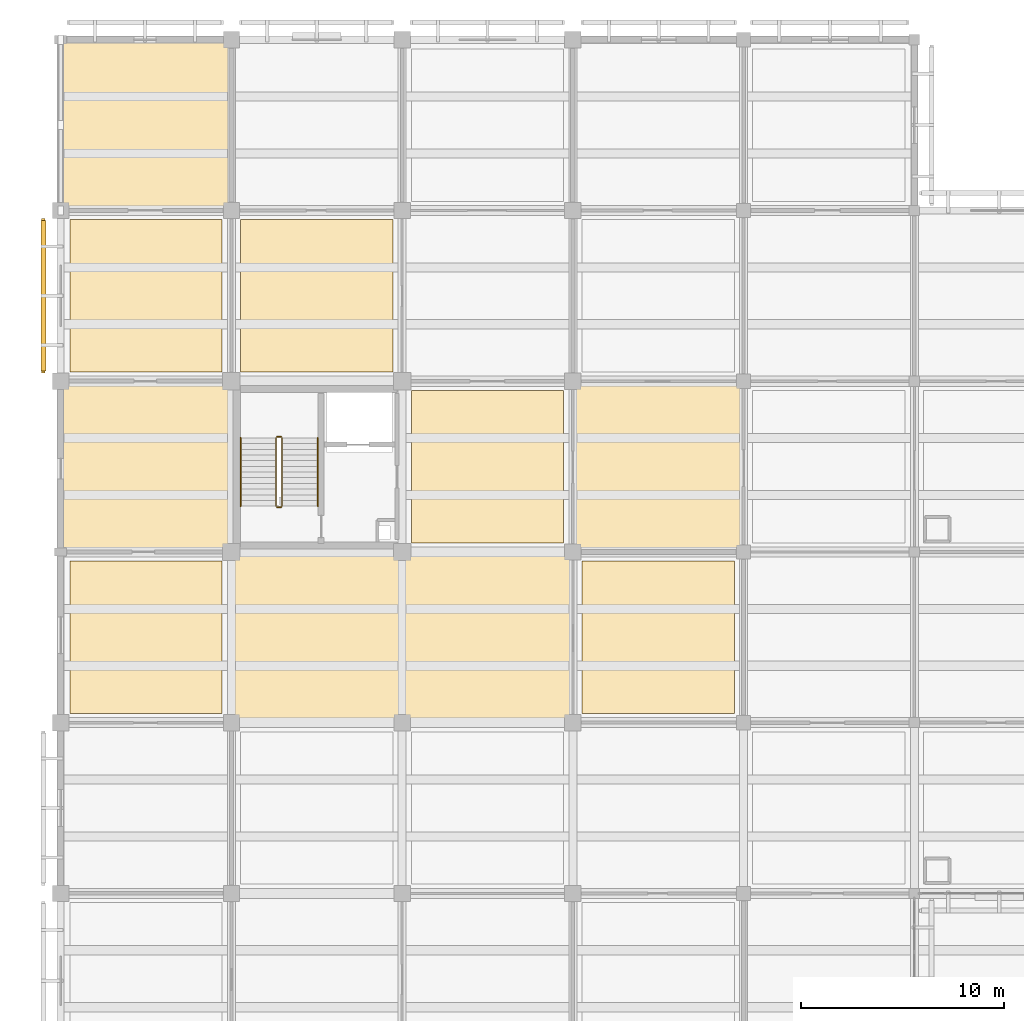
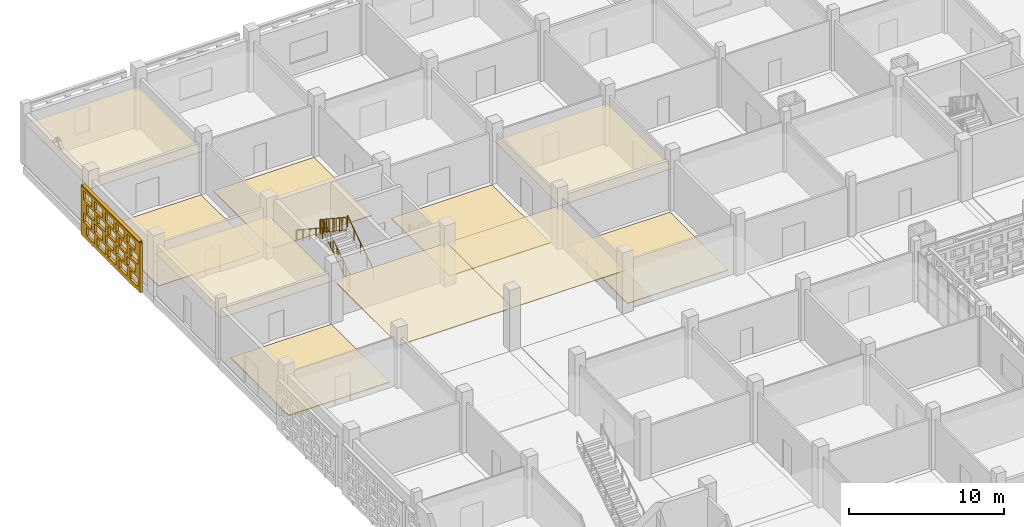
# One storey, part 99 of 129: 11 coverings, 6 railings, 1 shading device, 20 openings.
"""IFC4 building model written with IfcOpenShell, lengths in metres."""

from ifc_helpers import new_model, si_unit, direction, frame, frame_2d, origin, origin_2d, place, context, subcontext, project, spatial, rectangle, circle, extrude, material, layer, layer_set, type_object, element, save


model = new_model("IFC4")

# Units and contexts
model_context = context("Model", 3, precision=1e-05, world=origin(), true_north=direction((0.0, 1.0)))
body_context = subcontext(model_context, "Body", "Model", "MODEL_VIEW")
ifc_project = project(units=[si_unit("LENGTHUNIT", "METRE"), si_unit("AREAUNIT", "SQUARE_METRE"), si_unit("VOLUMEUNIT", "CUBIC_METRE"), si_unit("PLANEANGLEUNIT", "RADIAN"), si_unit("MASSUNIT", "GRAM", prefix="KILO")], contexts=[model_context])

# Site, building, storey
site_placement = place(None, origin())
site = spatial("IfcSite", under=ifc_project, at=site_placement, CompositionType="ELEMENT")
building_placement = place(site_placement, origin())
building = spatial("IfcBuilding", under=site, at=building_placement, Name="Varnapada Polytechnic", CompositionType="ELEMENT")
storey_placement = place(building_placement, origin())
storey = spatial("IfcBuildingStorey", under=building, at=storey_placement, Name="L00", CompositionType="ELEMENT", Elevation=0.0)

# Coverings
ifc_material_1 = material(Name="Anti-Static Raised Laboratory Flooring")
ifc_layer_1 = layer(ifc_material_1, 0.06005859375)
ifc_layer_set_1 = layer_set([ifc_layer_1], Name="Anti-Static Raised Laboratory Flooring")
covering_type_1 = type_object("IfcCoveringType", Name="Floor Finish FLR-02", PredefinedType="FLOORING", material=ifc_layer_set_1)
covering_1_placement = place(storey_placement, frame((4.199951171875, 96.60009765625, 0.0), z_axis=(0.0, 0.0, 1.0), x_axis=(1.0, 0.0, 0.0)))
element("IfcCovering", 1, at=covering_1_placement, inside=storey, type_object=covering_type_1, Name="L00 floor finish panel (1,12)", PredefinedType="FLOORING", context=body_context, shape_type="SweptSolid", body=[
    extrude(rectangle(XDim=7.5, YDim=7.5, at=origin_2d()), origin(), (0.0, 0.0, 1.0), 0.06005859375),
])
ifc_material_2 = material(Name="End-Grain Timber Studio Block Flooring", Category="wood")
ifc_layer_2 = layer(ifc_material_2, 0.054931640625)
ifc_layer_set_2 = layer_set([ifc_layer_2], Name="End-Grain Timber Studio Block Flooring")
covering_type_2 = type_object("IfcCoveringType", Name="Floor Finish FLR-04", PredefinedType="FLOORING", material=ifc_layer_set_2)
for number, where, z_axis, x_axis, name in (
    (2, (4.199951171875, 113.39990234375, 0.0), (0.0, 0.0, 1.0), (1.0, 0.0, 0.0), "L00 floor finish panel (1,14)"),
    (3, (12.60009765625, 113.39990234375, 0.0), (0.0, 0.0, 1.0), (1.0, 0.0, 0.0), "L00 floor finish panel (2,14)"),
    (4, (21.0, 105.0, 0.0), (0.0, 0.0, 1.0), (1.0, 0.0, 0.0), "L00 floor finish panel (3,13)"),
    (5, (29.39990234375, 96.60009765625, 0.0), (0.0, 0.0, 1.0), (1.0, 0.0, 0.0), "L00 floor finish panel (4,12)"),
):
    element("IfcCovering", number, at=place(storey_placement, frame(where, z_axis=z_axis, x_axis=x_axis)), inside=storey, type_object=covering_type_2, Name=name, PredefinedType="FLOORING", context=body_context, shape_type="SweptSolid", body=[
        extrude(rectangle(XDim=7.5, YDim=7.5, at=origin_2d()), origin(), (0.0, 0.0, 1.0), 0.054931640625),
    ])

# Railings
ifc_material_3 = material(Name="Brushed Stainless Steel 316", Category="steel")
railing_type_1 = type_object("IfcRailingType", Name="Stair Wall Handrail SHR-01", PredefinedType="HANDRAIL", material=ifc_material_3)
railing_1_placement = place(storey_placement, frame((12.64990234375, 103.050048828125, 0.1845703125)))
element("IfcRailing", 6, at=railing_1_placement, inside=storey, type_object=railing_type_1, Name="L00 ST-1 stair handrail 1", PredefinedType="HANDRAIL", context=body_context, shape_type="SweptSolid", body=[
    extrude(circle(Radius=0.02392578125, at=origin_2d()), frame((0.0, 0.0, 0.8759765625), z_axis=(0.0, 0.834858096282, 0.550465220583), x_axis=(-1.0, 0.0, 0.0)), (0.0, 0.0, 1.0), 4.0244140625),
    extrude(circle(Radius=0.02099609375, at=origin_2d()), origin(), (0.0, 0.0, 1.0), 0.851806640625),
    extrude(circle(Radius=0.02099609375, at=origin_2d()), frame((0.0, 0.83984375, 0.5537109375)), (0.0, 0.0, 1.0), 0.851806640625),
    extrude(circle(Radius=0.02099609375, at=origin_2d()), frame((0.0, 1.679931640625, 1.107666015625)), (0.0, 0.0, 1.0), 0.851806640625),
    extrude(circle(Radius=0.02099609375, at=origin_2d()), frame((0.0, 2.52001953125, 1.66162109375)), (0.0, 0.0, 1.0), 0.851806640625),
    extrude(circle(Radius=0.02099609375, at=origin_2d()), frame((0.0, 3.35986328125, 2.21533203125)), (0.0, 0.0, 1.0), 0.851806640625),
])
railing_2_placement = place(storey_placement, frame((8.85009765625, 106.409912109375, 2.584716796875)))
element("IfcRailing", 7, at=railing_2_placement, inside=storey, type_object=railing_type_1, Name="L00 ST-1 stair handrail 2", PredefinedType="HANDRAIL", context=body_context, shape_type="SweptSolid", body=[
    extrude(circle(Radius=0.02392578125, at=origin_2d()), frame((0.0, 0.0, 0.8759765625), z_axis=(0.0, -0.834858096282, 0.550465220583), x_axis=(1.0, 0.0, 0.0)), (0.0, 0.0, 1.0), 4.0244140625),
    extrude(circle(Radius=0.02099609375, at=origin_2d()), origin(), (0.0, 0.0, 1.0), 0.851806640625),
    extrude(circle(Radius=0.02099609375, at=origin_2d()), frame((0.0, -0.83984375, 0.5537109375)), (0.0, 0.0, 1.0), 0.851806640625),
    extrude(circle(Radius=0.02099609375, at=origin_2d()), frame((0.0, -1.679931640625, 1.107666015625)), (0.0, 0.0, 1.0), 0.851806640625),
    extrude(circle(Radius=0.02099609375, at=origin_2d()), frame((0.0, -2.52001953125, 1.66162109375)), (0.0, 0.0, 1.0), 0.851806640625),
    extrude(circle(Radius=0.02099609375, at=origin_2d()), frame((0.0, -3.35986328125, 2.21533203125)), (0.0, 0.0, 1.0), 0.851806640625),
])
railing_type_2 = type_object("IfcRailingType", Name="Stair Well Guard Rail SGR-01", PredefinedType="BALUSTRADE", material=ifc_material_3)
railing_3_placement = place(storey_placement, frame((10.89990234375, 103.050048828125, 0.1845703125)))
element("IfcRailing", 8, at=railing_3_placement, inside=storey, type_object=railing_type_2, Name="L00 ST-1 stair guard 1", PredefinedType="BALUSTRADE", context=body_context, shape_type="SweptSolid", body=[
    extrude(circle(Radius=0.02392578125, at=origin_2d()), frame((0.0, 0.0, 1.09619140625), z_axis=(0.0, 0.834858096282, 0.550465220583), x_axis=(-1.0, 0.0, 0.0)), (0.0, 0.0, 1.0), 4.0244140625),
    extrude(circle(Radius=0.02392578125, at=origin_2d()), frame((0.0, 0.0, 0.10009765625), z_axis=(0.0, 0.834858096282, 0.550465220583), x_axis=(-1.0, 0.0, 0.0)), (0.0, 0.0, 1.0), 4.0244140625),
    extrude(circle(Radius=0.02099609375, at=origin_2d()), origin(), (0.0, 0.0, 1.0), 1.072021484375),
    extrude(circle(Radius=0.02099609375, at=origin_2d()), frame((0.0, 0.83984375, 0.5537109375)), (0.0, 0.0, 1.0), 1.072021484375),
    extrude(circle(Radius=0.02099609375, at=origin_2d()), frame((0.0, 1.679931640625, 1.107666015625)), (0.0, 0.0, 1.0), 1.072021484375),
    extrude(circle(Radius=0.02099609375, at=origin_2d()), frame((0.0, 2.52001953125, 1.66162109375)), (0.0, 0.0, 1.0), 1.072021484375),
    extrude(circle(Radius=0.02099609375, at=origin_2d()), frame((0.0, 3.35986328125, 2.21533203125)), (0.0, 0.0, 1.0), 1.072021484375),
    extrude(circle(Radius=0.010009765625, at=origin_2d()), frame((0.0, 0.2099609375, 0.238525390625)), (0.0, 0.0, 1.0), 0.971923828125),
    extrude(circle(Radius=0.010009765625, at=origin_2d()), frame((0.0, 0.419921875, 0.376953125)), (0.0, 0.0, 1.0), 0.971923828125),
    extrude(circle(Radius=0.010009765625, at=origin_2d()), frame((0.0, 0.6298828125, 0.515380859375)), (0.0, 0.0, 1.0), 0.971923828125),
    extrude(circle(Radius=0.010009765625, at=origin_2d()), frame((0.0, 0.83984375, 0.65380859375)), (0.0, 0.0, 1.0), 0.971923828125),
    extrude(circle(Radius=0.010009765625, at=origin_2d()), frame((0.0, 1.050048828125, 0.79248046875)), (0.0, 0.0, 1.0), 0.971923828125),
    extrude(circle(Radius=0.010009765625, at=origin_2d()), frame((0.0, 1.260009765625, 0.930908203125)), (0.0, 0.0, 1.0), 0.971923828125),
    extrude(circle(Radius=0.010009765625, at=origin_2d()), frame((0.0, 1.469970703125, 1.0693359375)), (0.0, 0.0, 1.0), 0.971923828125),
    extrude(circle(Radius=0.010009765625, at=origin_2d()), frame((0.0, 1.679931640625, 1.207763671875)), (0.0, 0.0, 1.0), 0.971923828125),
    extrude(circle(Radius=0.010009765625, at=origin_2d()), frame((0.0, 1.889892578125, 1.34619140625)), (0.0, 0.0, 1.0), 0.971923828125),
    extrude(circle(Radius=0.010009765625, at=origin_2d()), frame((0.0, 2.099853515625, 1.484619140625)), (0.0, 0.0, 1.0), 0.971923828125),
    extrude(circle(Radius=0.010009765625, at=origin_2d()), frame((0.0, 2.309814453125, 1.623046875)), (0.0, 0.0, 1.0), 0.971923828125),
    extrude(circle(Radius=0.010009765625, at=origin_2d()), frame((0.0, 2.52001953125, 1.76171875)), (0.0, 0.0, 1.0), 0.971923828125),
    extrude(circle(Radius=0.010009765625, at=origin_2d()), frame((0.0, 2.72998046875, 1.900146484375)), (0.0, 0.0, 1.0), 0.971923828125),
    extrude(circle(Radius=0.010009765625, at=origin_2d()), frame((0.0, 2.93994140625, 2.03857421875)), (0.0, 0.0, 1.0), 0.971923828125),
    extrude(circle(Radius=0.010009765625, at=origin_2d()), frame((0.0, 3.14990234375, 2.177001953125)), (0.0, 0.0, 1.0), 0.971923828125),
])
railing_4_placement = place(storey_placement, frame((10.85009765625, 106.4599609375, 2.39990234375)))
element("IfcRailing", 9, at=railing_4_placement, inside=storey, type_object=railing_type_2, Name="L00 ST-1 stair guard 2", PredefinedType="BALUSTRADE", context=body_context, shape_type="SweptSolid", body=[
    extrude(circle(Radius=0.02392578125, at=origin_2d()), frame((0.0, 0.0, 1.09619140625), z_axis=(-1.0, 0.0, 0.0), x_axis=(0.0, -1.0, 0.0)), (0.0, 0.0, 1.0), 0.2001953125),
    extrude(circle(Radius=0.02392578125, at=origin_2d()), frame((0.0, 0.0, 0.10009765625), z_axis=(-1.0, 0.0, 0.0), x_axis=(0.0, -1.0, 0.0)), (0.0, 0.0, 1.0), 0.2001953125),
    extrude(circle(Radius=0.02099609375, at=origin_2d()), origin(), (0.0, 0.0, 1.0), 1.072021484375),
    extrude(circle(Radius=0.02099609375, at=origin_2d()), frame((-0.2001953125, 0.0, 0.0)), (0.0, 0.0, 1.0), 1.072021484375),
])
railing_5_placement = place(storey_placement, frame((10.60009765625, 106.409912109375, 2.584716796875)))
element("IfcRailing", 10, at=railing_5_placement, inside=storey, type_object=railing_type_2, Name="L00 ST-1 stair guard 3", PredefinedType="BALUSTRADE", context=body_context, shape_type="SweptSolid", body=[
    extrude(circle(Radius=0.02392578125, at=origin_2d()), frame((0.0, 0.0, 1.09619140625), z_axis=(0.0, -0.834858096282, 0.550465220583), x_axis=(1.0, 0.0, 0.0)), (0.0, 0.0, 1.0), 4.0244140625),
    extrude(circle(Radius=0.02392578125, at=origin_2d()), frame((0.0, 0.0, 0.10009765625), z_axis=(0.0, -0.834858096282, 0.550465220583), x_axis=(1.0, 0.0, 0.0)), (0.0, 0.0, 1.0), 4.0244140625),
    extrude(circle(Radius=0.02099609375, at=origin_2d()), origin(), (0.0, 0.0, 1.0), 1.072021484375),
    extrude(circle(Radius=0.02099609375, at=origin_2d()), frame((0.0, -0.83984375, 0.5537109375)), (0.0, 0.0, 1.0), 1.072021484375),
    extrude(circle(Radius=0.02099609375, at=origin_2d()), frame((0.0, -1.679931640625, 1.107666015625)), (0.0, 0.0, 1.0), 1.072021484375),
    extrude(circle(Radius=0.02099609375, at=origin_2d()), frame((0.0, -2.52001953125, 1.66162109375)), (0.0, 0.0, 1.0), 1.072021484375),
    extrude(circle(Radius=0.02099609375, at=origin_2d()), frame((0.0, -3.35986328125, 2.21533203125)), (0.0, 0.0, 1.0), 1.072021484375),
    extrude(circle(Radius=0.010009765625, at=origin_2d()), frame((0.0, -0.2099609375, 0.238525390625)), (0.0, 0.0, 1.0), 0.971923828125),
    extrude(circle(Radius=0.010009765625, at=origin_2d()), frame((0.0, -0.419921875, 0.376953125)), (0.0, 0.0, 1.0), 0.971923828125),
    extrude(circle(Radius=0.010009765625, at=origin_2d()), frame((0.0, -0.6298828125, 0.515380859375)), (0.0, 0.0, 1.0), 0.971923828125),
    extrude(circle(Radius=0.010009765625, at=origin_2d()), frame((0.0, -0.83984375, 0.65380859375)), (0.0, 0.0, 1.0), 0.971923828125),
    extrude(circle(Radius=0.010009765625, at=origin_2d()), frame((0.0, -1.050048828125, 0.79248046875)), (0.0, 0.0, 1.0), 0.971923828125),
    extrude(circle(Radius=0.010009765625, at=origin_2d()), frame((0.0, -1.260009765625, 0.930908203125)), (0.0, 0.0, 1.0), 0.971923828125),
    extrude(circle(Radius=0.010009765625, at=origin_2d()), frame((0.0, -1.469970703125, 1.0693359375)), (0.0, 0.0, 1.0), 0.971923828125),
    extrude(circle(Radius=0.010009765625, at=origin_2d()), frame((0.0, -1.679931640625, 1.207763671875)), (0.0, 0.0, 1.0), 0.971923828125),
    extrude(circle(Radius=0.010009765625, at=origin_2d()), frame((0.0, -1.889892578125, 1.34619140625)), (0.0, 0.0, 1.0), 0.971923828125),
    extrude(circle(Radius=0.010009765625, at=origin_2d()), frame((0.0, -2.099853515625, 1.484619140625)), (0.0, 0.0, 1.0), 0.971923828125),
    extrude(circle(Radius=0.010009765625, at=origin_2d()), frame((0.0, -2.309814453125, 1.623046875)), (0.0, 0.0, 1.0), 0.971923828125),
    extrude(circle(Radius=0.010009765625, at=origin_2d()), frame((0.0, -2.52001953125, 1.76171875)), (0.0, 0.0, 1.0), 0.971923828125),
    extrude(circle(Radius=0.010009765625, at=origin_2d()), frame((0.0, -2.72998046875, 1.900146484375)), (0.0, 0.0, 1.0), 0.971923828125),
    extrude(circle(Radius=0.010009765625, at=origin_2d()), frame((0.0, -2.93994140625, 2.03857421875)), (0.0, 0.0, 1.0), 0.971923828125),
    extrude(circle(Radius=0.010009765625, at=origin_2d()), frame((0.0, -3.14990234375, 2.177001953125)), (0.0, 0.0, 1.0), 0.971923828125),
])
railing_6_placement = place(storey_placement, frame((10.85009765625, 103.0, 0.0)))
element("IfcRailing", 11, at=railing_6_placement, inside=storey, type_object=railing_type_2, Name="L00 ST-1 stair guard 4", PredefinedType="BALUSTRADE", context=body_context, shape_type="SweptSolid", body=[
    extrude(circle(Radius=0.02392578125, at=origin_2d()), frame((0.0, 0.0, 1.09619140625), z_axis=(-1.0, 0.0, 0.0), x_axis=(0.0, -1.0, 0.0)), (0.0, 0.0, 1.0), 0.2001953125),
    extrude(circle(Radius=0.02392578125, at=origin_2d()), frame((0.0, 0.0, 0.10009765625), z_axis=(-1.0, 0.0, 0.0), x_axis=(0.0, -1.0, 0.0)), (0.0, 0.0, 1.0), 0.2001953125),
    extrude(circle(Radius=0.02099609375, at=origin_2d()), origin(), (0.0, 0.0, 1.0), 1.072021484375),
    extrude(circle(Radius=0.02099609375, at=origin_2d()), frame((-0.2001953125, 0.0, 0.0)), (0.0, 0.0, 1.0), 1.072021484375),
])

# Coverings
ifc_material_4 = material(Name="Perforated Timber Slatted Baffle Ceiling", Category="wood")
ifc_layer_3 = layer(ifc_material_4, 0.050048828125)
ifc_layer_set_3 = layer_set([ifc_layer_3], Name="Perforated Timber Slatted Baffle Ceiling")
covering_type_3 = type_object("IfcCoveringType", Name="Suspended Ceiling CLG-02", PredefinedType="CEILING", material=ifc_layer_set_3)
covering_2_placement = place(storey_placement, frame((4.199951171875, 105.0, 3.02490234375), z_axis=(0.0, 0.0, 1.0), x_axis=(1.0, 0.0, 0.0)))
element("IfcCovering", 12, at=covering_2_placement, inside=storey, type_object=covering_type_3, Name="L00 suspended acoustic ceiling (1,13)", PredefinedType="CEILING", context=body_context, shape_type="SweptSolid", body=[
    extrude(rectangle(XDim=8.419921875, YDim=8.419921875, at=origin_2d()), origin(), (0.0, 0.0, 1.0), 0.050048828125),
])
ifc_material_5 = material(Name="Micro-Perforated Gypsum Acoustic Ceiling")
ifc_layer_4 = layer(ifc_material_5, 0.044921875)
ifc_layer_set_4 = layer_set([ifc_layer_4], Name="Micro-Perforated Gypsum Acoustic Ceiling")
covering_type_4 = type_object("IfcCoveringType", Name="Suspended Ceiling CLG-04", PredefinedType="CEILING", material=ifc_layer_set_4)
covering_3_placement = place(storey_placement, frame((4.199951171875, 121.800048828125, 3.027587890625), z_axis=(0.0, 0.0, 1.0), x_axis=(1.0, 0.0, 0.0)))
element("IfcCovering", 13, at=covering_3_placement, inside=storey, type_object=covering_type_4, Name="L00 suspended acoustic ceiling (1,15)", PredefinedType="CEILING", context=body_context, shape_type="SweptSolid", body=[
    extrude(rectangle(XDim=8.419921875, YDim=8.419921875, at=origin_2d()), origin(), (0.0, 0.0, 1.0), 0.044921875),
])
ifc_material_6 = material(Name="Slatted Merbau Timber Acoustic Ceiling", Category="wood")
ifc_layer_5 = layer(ifc_material_6, 0.054931640625)
ifc_layer_set_5 = layer_set([ifc_layer_5], Name="Slatted Merbau Timber Acoustic Ceiling")
covering_type_5 = type_object("IfcCoveringType", Name="Suspended Ceiling CLG-05", PredefinedType="CEILING", material=ifc_layer_set_5)
for number, where, z_axis, x_axis, name in (
    (14, (21.0, 96.60009765625, 3.0224609375), (0.0, 0.0, 1.0), (1.0, 0.0, 0.0), "L00 suspended acoustic ceiling (3,12)"),
    (15, (29.39990234375, 105.0, 3.0224609375), (0.0, 0.0, 1.0), (1.0, 0.0, 0.0), "L00 suspended acoustic ceiling (4,13)"),
):
    element("IfcCovering", number, at=place(storey_placement, frame(where, z_axis=z_axis, x_axis=x_axis)), inside=storey, type_object=covering_type_5, Name=name, PredefinedType="CEILING", context=body_context, shape_type="SweptSolid", body=[
        extrude(rectangle(XDim=8.419921875, YDim=8.419921875, at=origin_2d()), origin(), (0.0, 0.0, 1.0), 0.054931640625),
    ])
ifc_material_7 = material(Name="Deep Acoustic Auditorium Cloud Baffle")
ifc_layer_6 = layer(ifc_material_7, 0.06494140625)
ifc_layer_set_6 = layer_set([ifc_layer_6], Name="Deep Acoustic Auditorium Cloud Baffle")
covering_type_6 = type_object("IfcCoveringType", Name="Suspended Ceiling CLG-07", PredefinedType="CEILING", material=ifc_layer_set_6)
covering_4_placement = place(storey_placement, frame((12.60009765625, 96.60009765625, 3.017578125), z_axis=(0.0, 0.0, 1.0), x_axis=(1.0, 0.0, 0.0)))
element("IfcCovering", 16, at=covering_4_placement, inside=storey, type_object=covering_type_6, Name="L00 suspended acoustic ceiling (2,12)", PredefinedType="CEILING", context=body_context, shape_type="SweptSolid", body=[
    extrude(rectangle(XDim=8.419921875, YDim=8.419921875, at=origin_2d()), origin(), (0.0, 0.0, 1.0), 0.06494140625),
])

# Covering, openings
ifc_material_8 = material(Name="Earth-toned architectural terracotta screen block", Category="masonry")
ifc_layer_7 = layer(ifc_material_8, 0.1201171875)
ifc_layer_set_7 = layer_set([ifc_layer_7], Name="Earth-toned architectural terracotta screen block")
covering_type_7 = type_object("IfcCoveringType", Name="Terracotta Screen Cladding CLD-01", PredefinedType="CLADDING", material=ifc_layer_set_7)
covering_5_placement = place(storey_placement, frame((-0.85009765625, 109.60009765625, 0.0), z_axis=(0.0, 0.0, 1.0), x_axis=(0.0, 1.0, 0.0)))
covering_5 = element("IfcCovering", 17, at=covering_5_placement, inside=storey, type_object=covering_type_7, Name="L00 perforated terracotta block screen (10)", PredefinedType="CLADDING", context=body_context, shape_type="SweptSolid", body=[
    extrude(rectangle(XDim=7.599853515625, YDim=0.179931640625, at=frame_2d((3.7998046875, 0.0))), origin(), (0.0, 0.0, 1.0), 3.919921875),
])
opening_1_placement = place(covering_5_placement, frame((0.300048828125, 0.0, 0.313720703125)))
element("IfcOpeningElement", 18, at=opening_1_placement, cuts=covering_5, Name="Screen perforation TBS-L00-009.1", PredefinedType="OPENING", context=body_context, shape_type="SweptSolid", body=[
    extrude(rectangle(XDim=1.0400390625, YDim=0.679931640625, at=frame_2d((0.52001953125, 0.33984375))), frame((0.0, 0.099853515625, 0.0), z_axis=(0.0, -1.0, 0.0), x_axis=(1.0, 0.0, 0.0)), (0.0, 0.0, 1.0), 0.199951171875),
])
opening_2_placement = place(covering_5_placement, frame((1.699951171875, 0.0, 0.313720703125)))
element("IfcOpeningElement", 19, at=opening_2_placement, cuts=covering_5, Name="Screen perforation TBS-L00-009.2", PredefinedType="OPENING", context=body_context, shape_type="SweptSolid", body=[
    extrude(rectangle(XDim=1.0400390625, YDim=0.679931640625, at=frame_2d((0.52001953125, 0.33984375))), frame((0.0, 0.099853515625, 0.0), z_axis=(0.0, -1.0, 0.0), x_axis=(1.0, 0.0, 0.0)), (0.0, 0.0, 1.0), 0.199951171875),
])
opening_3_placement = place(covering_5_placement, frame((3.10009765625, 0.0, 0.313720703125)))
element("IfcOpeningElement", 20, at=opening_3_placement, cuts=covering_5, Name="Screen perforation TBS-L00-009.3", PredefinedType="OPENING", context=body_context, shape_type="SweptSolid", body=[
    extrude(rectangle(XDim=1.0400390625, YDim=0.679931640625, at=frame_2d((0.52001953125, 0.33984375))), frame((0.0, 0.099853515625, 0.0), z_axis=(0.0, -1.0, 0.0), x_axis=(1.0, 0.0, 0.0)), (0.0, 0.0, 1.0), 0.199951171875),
])
opening_4_placement = place(covering_5_placement, frame((4.5, 0.0, 0.313720703125)))
element("IfcOpeningElement", 21, at=opening_4_placement, cuts=covering_5, Name="Screen perforation TBS-L00-009.4", PredefinedType="OPENING", context=body_context, shape_type="SweptSolid", body=[
    extrude(rectangle(XDim=1.0400390625, YDim=0.679931640625, at=frame_2d((0.52001953125, 0.33984375))), frame((0.0, 0.099853515625, 0.0), z_axis=(0.0, -1.0, 0.0), x_axis=(1.0, 0.0, 0.0)), (0.0, 0.0, 1.0), 0.199951171875),
])
opening_5_placement = place(covering_5_placement, frame((5.89990234375, 0.0, 0.313720703125)))
element("IfcOpeningElement", 22, at=opening_5_placement, cuts=covering_5, Name="Screen perforation TBS-L00-009.5", PredefinedType="OPENING", context=body_context, shape_type="SweptSolid", body=[
    extrude(rectangle(XDim=1.0400390625, YDim=0.679931640625, at=frame_2d((0.52001953125, 0.33984375))), frame((0.0, 0.099853515625, 0.0), z_axis=(0.0, -1.0, 0.0), x_axis=(1.0, 0.0, 0.0)), (0.0, 0.0, 1.0), 0.199951171875),
])
opening_6_placement = place(covering_5_placement, frame((0.659912109375, 0.0, 1.195556640625)))
element("IfcOpeningElement", 23, at=opening_6_placement, cuts=covering_5, Name="Screen perforation TBS-L00-009.6", PredefinedType="OPENING", context=body_context, shape_type="SweptSolid", body=[
    extrude(rectangle(XDim=1.0400390625, YDim=0.679931640625, at=frame_2d((0.52001953125, 0.33984375))), frame((0.0, 0.099853515625, 0.0), z_axis=(0.0, -1.0, 0.0), x_axis=(1.0, 0.0, 0.0)), (0.0, 0.0, 1.0), 0.199951171875),
])
opening_7_placement = place(covering_5_placement, frame((2.06005859375, 0.0, 1.195556640625)))
element("IfcOpeningElement", 24, at=opening_7_placement, cuts=covering_5, Name="Screen perforation TBS-L00-009.7", PredefinedType="OPENING", context=body_context, shape_type="SweptSolid", body=[
    extrude(rectangle(XDim=1.0400390625, YDim=0.679931640625, at=frame_2d((0.52001953125, 0.33984375))), frame((0.0, 0.099853515625, 0.0), z_axis=(0.0, -1.0, 0.0), x_axis=(1.0, 0.0, 0.0)), (0.0, 0.0, 1.0), 0.199951171875),
])
opening_8_placement = place(covering_5_placement, frame((3.4599609375, 0.0, 1.195556640625)))
element("IfcOpeningElement", 25, at=opening_8_placement, cuts=covering_5, Name="Screen perforation TBS-L00-009.8", PredefinedType="OPENING", context=body_context, shape_type="SweptSolid", body=[
    extrude(rectangle(XDim=1.0400390625, YDim=0.679931640625, at=frame_2d((0.52001953125, 0.33984375))), frame((0.0, 0.099853515625, 0.0), z_axis=(0.0, -1.0, 0.0), x_axis=(1.0, 0.0, 0.0)), (0.0, 0.0, 1.0), 0.199951171875),
])
opening_9_placement = place(covering_5_placement, frame((4.860107421875, 0.0, 1.195556640625)))
element("IfcOpeningElement", 26, at=opening_9_placement, cuts=covering_5, Name="Screen perforation TBS-L00-009.9", PredefinedType="OPENING", context=body_context, shape_type="SweptSolid", body=[
    extrude(rectangle(XDim=1.0400390625, YDim=0.679931640625, at=frame_2d((0.52001953125, 0.33984375))), frame((0.0, 0.099853515625, 0.0), z_axis=(0.0, -1.0, 0.0), x_axis=(1.0, 0.0, 0.0)), (0.0, 0.0, 1.0), 0.199951171875),
])
opening_10_placement = place(covering_5_placement, frame((6.260009765625, 0.0, 1.195556640625)))
element("IfcOpeningElement", 27, at=opening_10_placement, cuts=covering_5, Name="Screen perforation TBS-L00-009.10", PredefinedType="OPENING", context=body_context, shape_type="SweptSolid", body=[
    extrude(rectangle(XDim=1.0400390625, YDim=0.679931640625, at=frame_2d((0.52001953125, 0.33984375))), frame((0.0, 0.099853515625, 0.0), z_axis=(0.0, -1.0, 0.0), x_axis=(1.0, 0.0, 0.0)), (0.0, 0.0, 1.0), 0.199951171875),
])
opening_11_placement = place(covering_5_placement, frame((0.300048828125, 0.0, 2.07763671875)))
element("IfcOpeningElement", 28, at=opening_11_placement, cuts=covering_5, Name="Screen perforation TBS-L00-009.11", PredefinedType="OPENING", context=body_context, shape_type="SweptSolid", body=[
    extrude(rectangle(XDim=1.0400390625, YDim=0.679931640625, at=frame_2d((0.52001953125, 0.33984375))), frame((0.0, 0.099853515625, 0.0), z_axis=(0.0, -1.0, 0.0), x_axis=(1.0, 0.0, 0.0)), (0.0, 0.0, 1.0), 0.199951171875),
])
opening_12_placement = place(covering_5_placement, frame((1.699951171875, 0.0, 2.07763671875)))
element("IfcOpeningElement", 29, at=opening_12_placement, cuts=covering_5, Name="Screen perforation TBS-L00-009.12", PredefinedType="OPENING", context=body_context, shape_type="SweptSolid", body=[
    extrude(rectangle(XDim=1.0400390625, YDim=0.679931640625, at=frame_2d((0.52001953125, 0.33984375))), frame((0.0, 0.099853515625, 0.0), z_axis=(0.0, -1.0, 0.0), x_axis=(1.0, 0.0, 0.0)), (0.0, 0.0, 1.0), 0.199951171875),
])
opening_13_placement = place(covering_5_placement, frame((3.10009765625, 0.0, 2.07763671875)))
element("IfcOpeningElement", 30, at=opening_13_placement, cuts=covering_5, Name="Screen perforation TBS-L00-009.13", PredefinedType="OPENING", context=body_context, shape_type="SweptSolid", body=[
    extrude(rectangle(XDim=1.0400390625, YDim=0.679931640625, at=frame_2d((0.52001953125, 0.33984375))), frame((0.0, 0.099853515625, 0.0), z_axis=(0.0, -1.0, 0.0), x_axis=(1.0, 0.0, 0.0)), (0.0, 0.0, 1.0), 0.199951171875),
])
opening_14_placement = place(covering_5_placement, frame((4.5, 0.0, 2.07763671875)))
element("IfcOpeningElement", 31, at=opening_14_placement, cuts=covering_5, Name="Screen perforation TBS-L00-009.14", PredefinedType="OPENING", context=body_context, shape_type="SweptSolid", body=[
    extrude(rectangle(XDim=1.0400390625, YDim=0.679931640625, at=frame_2d((0.52001953125, 0.33984375))), frame((0.0, 0.099853515625, 0.0), z_axis=(0.0, -1.0, 0.0), x_axis=(1.0, 0.0, 0.0)), (0.0, 0.0, 1.0), 0.199951171875),
])
opening_15_placement = place(covering_5_placement, frame((5.89990234375, 0.0, 2.07763671875)))
element("IfcOpeningElement", 32, at=opening_15_placement, cuts=covering_5, Name="Screen perforation TBS-L00-009.15", PredefinedType="OPENING", context=body_context, shape_type="SweptSolid", body=[
    extrude(rectangle(XDim=1.0400390625, YDim=0.679931640625, at=frame_2d((0.52001953125, 0.33984375))), frame((0.0, 0.099853515625, 0.0), z_axis=(0.0, -1.0, 0.0), x_axis=(1.0, 0.0, 0.0)), (0.0, 0.0, 1.0), 0.199951171875),
])
opening_16_placement = place(covering_5_placement, frame((0.659912109375, 0.0, 2.959716796875)))
element("IfcOpeningElement", 33, at=opening_16_placement, cuts=covering_5, Name="Screen perforation TBS-L00-009.16", PredefinedType="OPENING", context=body_context, shape_type="SweptSolid", body=[
    extrude(rectangle(XDim=1.0400390625, YDim=0.679931640625, at=frame_2d((0.52001953125, 0.33984375))), frame((0.0, 0.099853515625, 0.0), z_axis=(0.0, -1.0, 0.0), x_axis=(1.0, 0.0, 0.0)), (0.0, 0.0, 1.0), 0.199951171875),
])
opening_17_placement = place(covering_5_placement, frame((2.06005859375, 0.0, 2.959716796875)))
element("IfcOpeningElement", 34, at=opening_17_placement, cuts=covering_5, Name="Screen perforation TBS-L00-009.17", PredefinedType="OPENING", context=body_context, shape_type="SweptSolid", body=[
    extrude(rectangle(XDim=1.0400390625, YDim=0.679931640625, at=frame_2d((0.52001953125, 0.33984375))), frame((0.0, 0.099853515625, 0.0), z_axis=(0.0, -1.0, 0.0), x_axis=(1.0, 0.0, 0.0)), (0.0, 0.0, 1.0), 0.199951171875),
])
opening_18_placement = place(covering_5_placement, frame((3.4599609375, 0.0, 2.959716796875)))
element("IfcOpeningElement", 35, at=opening_18_placement, cuts=covering_5, Name="Screen perforation TBS-L00-009.18", PredefinedType="OPENING", context=body_context, shape_type="SweptSolid", body=[
    extrude(rectangle(XDim=1.0400390625, YDim=0.679931640625, at=frame_2d((0.52001953125, 0.33984375))), frame((0.0, 0.099853515625, 0.0), z_axis=(0.0, -1.0, 0.0), x_axis=(1.0, 0.0, 0.0)), (0.0, 0.0, 1.0), 0.199951171875),
])
opening_19_placement = place(covering_5_placement, frame((4.860107421875, 0.0, 2.959716796875)))
element("IfcOpeningElement", 36, at=opening_19_placement, cuts=covering_5, Name="Screen perforation TBS-L00-009.19", PredefinedType="OPENING", context=body_context, shape_type="SweptSolid", body=[
    extrude(rectangle(XDim=1.0400390625, YDim=0.679931640625, at=frame_2d((0.52001953125, 0.33984375))), frame((0.0, 0.099853515625, 0.0), z_axis=(0.0, -1.0, 0.0), x_axis=(1.0, 0.0, 0.0)), (0.0, 0.0, 1.0), 0.199951171875),
])
opening_20_placement = place(covering_5_placement, frame((6.260009765625, 0.0, 2.959716796875)))
element("IfcOpeningElement", 37, at=opening_20_placement, cuts=covering_5, Name="Screen perforation TBS-L00-009.20", PredefinedType="OPENING", context=body_context, shape_type="SweptSolid", body=[
    extrude(rectangle(XDim=1.0400390625, YDim=0.679931640625, at=frame_2d((0.52001953125, 0.33984375))), frame((0.0, 0.099853515625, 0.0), z_axis=(0.0, -1.0, 0.0), x_axis=(1.0, 0.0, 0.0)), (0.0, 0.0, 1.0), 0.199951171875),
])

# Shading device
ifc_layer_8 = layer(ifc_material_8, 0.179931640625)
ifc_layer_set_8 = layer_set([ifc_layer_8], Name="Earth-toned architectural terracotta screen block")
shading_device_type = type_object("IfcShadingDeviceType", Name="Terracotta Screen SCR-02", PredefinedType="USERDEFINED", material=ifc_layer_set_8)
shading_device_placement = place(storey_placement, frame((-0.85009765625, 113.39990234375, 3.909912109375), z_axis=(0.0, 0.0, 1.0), x_axis=(0.0, 1.0, 0.0)))
element("IfcShadingDevice", 38, at=shading_device_placement, inside=storey, type_object=shading_device_type, Name="L00 perforated terracotta screen hood 7", ObjectType="SCREEN", PredefinedType="USERDEFINED", context=body_context, shape_type="SweptSolid", body=[
    extrude(rectangle(XDim=7.39990234375, YDim=0.239990234375, at=origin_2d()), origin(), (0.0, 0.0, 1.0), 0.10009765625),
])

save(model, "model.ifc")
